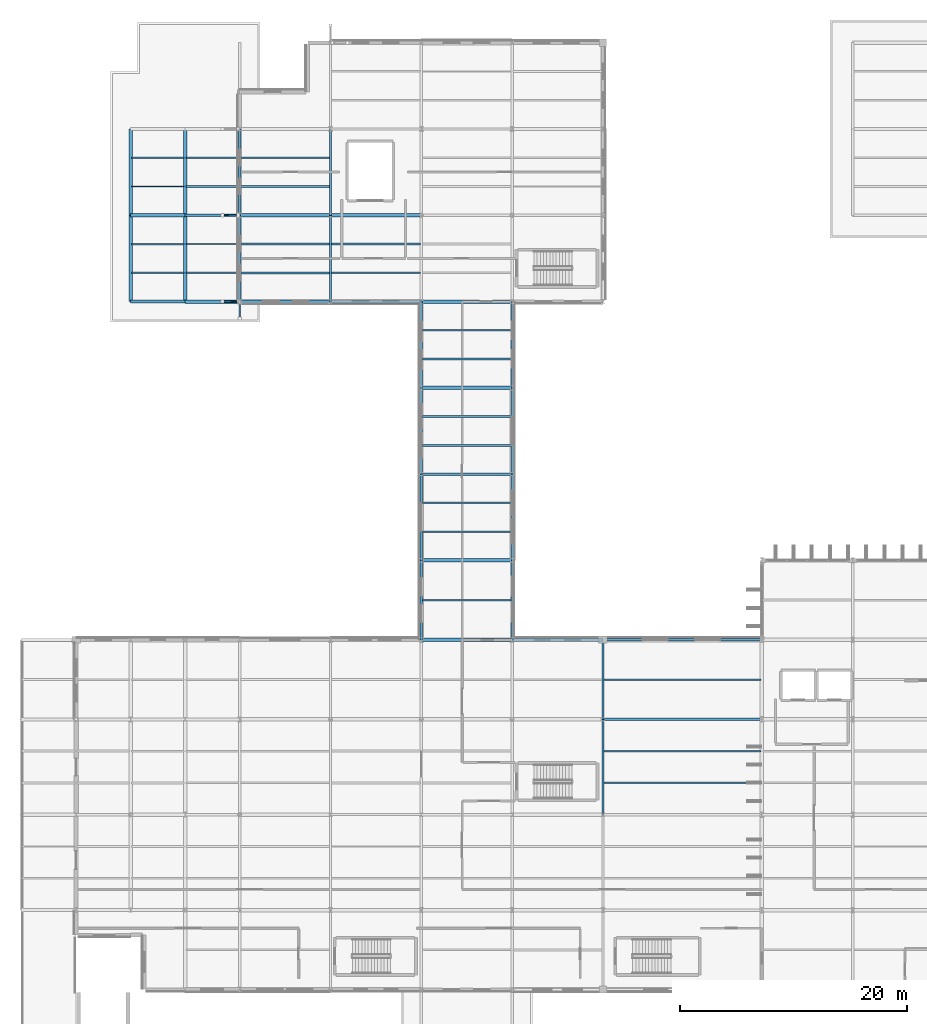
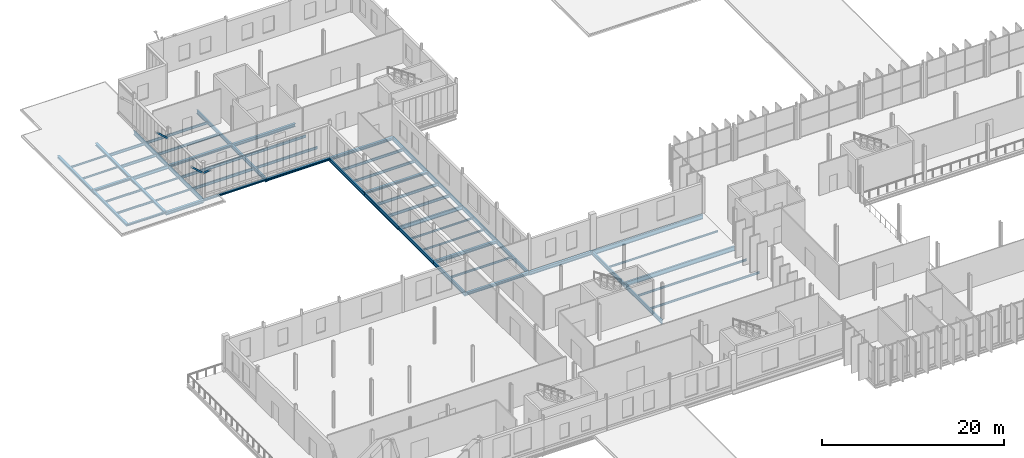
# One storey, part 36 of 120: 58 beams, 3 members.
"""IFC4 building model written with IfcOpenShell, lengths in metres."""

from ifc_helpers import new_model, si_unit, direction, frame, origin, origin_2d, place, context, subcontext, project, spatial, hollow_rectangle, i_section, extrude, material, material_profile, profile_set, type_object, element, save


model = new_model("IFC4")

# Units and contexts
model_context = context("Model", 3, precision=1e-05, world=origin(), true_north=direction((0.0, 1.0)))
body_context = subcontext(model_context, "Body", "Model", "MODEL_VIEW")
ifc_project = project(units=[si_unit("LENGTHUNIT", "METRE"), si_unit("AREAUNIT", "SQUARE_METRE"), si_unit("VOLUMEUNIT", "CUBIC_METRE"), si_unit("PLANEANGLEUNIT", "RADIAN"), si_unit("MASSUNIT", "GRAM", prefix="KILO")], contexts=[model_context])

# Site, building, storey
site_placement = place(None, origin())
site = spatial("IfcSite", under=ifc_project, at=site_placement, CompositionType="ELEMENT")
building_placement = place(site_placement, origin())
building = spatial("IfcBuilding", under=site, at=building_placement, Name="Vekula Escarpment Museum", CompositionType="ELEMENT")
storey_placement = place(building_placement, frame((0.0, 0.0, 13.199951171875)))
storey = spatial("IfcBuildingStorey", under=building, at=storey_placement, Name="L03", CompositionType="ELEMENT", Elevation=13.199951171875)

# Beams
ifc_material_1 = material(Name="Steel S355", Category="steel")
ifc_material_profile_1 = material_profile(ifc_material_1, i_section(OverallWidth=0.300048828125, OverallDepth=0.300048828125, WebThickness=0.010986328125, FlangeThickness=0.01904296875, FilletRadius=0.027099609375, at=origin_2d()), Name="HEB 300")
ifc_profile_set_1 = profile_set([ifc_material_profile_1], Name="Steel S355")
beam_type_1 = type_object("IfcBeamType", Name="BM-GIRD-HEB300", PredefinedType="BEAM", material=ifc_profile_set_1)
for number, where, z_axis, x_axis, name in (
    (1, (40.0, 105.60009765625, -0.39990234375), (1.0, 0.0, 0.0), (0.0, 1.0, 0.0), "Beam X L03 1429"),
    (2, (32.0, 113.199951171875, -0.39990234375), (1.0, 0.0, 0.0), (0.0, 1.0, 0.0), "Beam X L03 1436"),
):
    element("IfcBeam", number, at=place(storey_placement, frame(where, z_axis=z_axis, x_axis=x_axis)), inside=storey, type_object=beam_type_1, Name=name, PredefinedType="BEAM", context=body_context, shape_type="SweptSolid", body=[
        extrude(i_section(OverallWidth=0.300048828125, OverallDepth=0.300048828125, WebThickness=0.010986328125, FlangeThickness=0.01904296875, FilletRadius=0.027099609375, at=origin_2d()), origin(), (0.0, 0.0, 1.0), 8.0),
    ])
ifc_material_2 = material(Name="Steel S355", Category="steel")
ifc_material_profile_2 = material_profile(ifc_material_2, i_section(OverallWidth=0.300048828125, OverallDepth=0.320068359375, WebThickness=0.011474609375, FlangeThickness=0.0205078125, FilletRadius=0.027099609375, at=origin_2d()), Name="HEB 320")
ifc_profile_set_2 = profile_set([ifc_material_profile_2], Name="Steel S355")
beam_type_2 = type_object("IfcBeamType", Name="BM-GIRD-HEB320", PredefinedType="BEAM", material=ifc_profile_set_2)
beam_1_placement = place(storey_placement, frame((14.39990234375, 120.800048828125, -0.35986328125), z_axis=(1.0, 0.0, 0.0), x_axis=(0.0, 1.0, 0.0)))
element("IfcBeam", 3, at=beam_1_placement, inside=storey, type_object=beam_type_2, Name="Beam X L03 1442", PredefinedType="BEAM", context=body_context, shape_type="SweptSolid", body=[
    extrude(i_section(OverallWidth=0.300048828125, OverallDepth=0.320068359375, WebThickness=0.011474609375, FlangeThickness=0.0205078125, FilletRadius=0.027099609375, at=origin_2d()), origin(), (0.0, 0.0, 1.0), 4.800048828125),
])
beam_2_placement = place(storey_placement, frame((24.0, 120.800048828125, -0.409912109375), z_axis=(1.0, 0.0, 0.0), x_axis=(0.0, 1.0, 0.0)))
element("IfcBeam", 4, at=beam_2_placement, inside=storey, type_object=beam_type_2, Name="Beam X L03 1444", PredefinedType="BEAM", context=body_context, shape_type="SweptSolid", body=[
    extrude(i_section(OverallWidth=0.300048828125, OverallDepth=0.320068359375, WebThickness=0.011474609375, FlangeThickness=0.0205078125, FilletRadius=0.027099609375, at=origin_2d()), origin(), (0.0, 0.0, 1.0), 8.0),
])
ifc_material_3 = material(Name="Steel S355", Category="steel")
ifc_material_profile_3 = material_profile(ifc_material_3, i_section(OverallWidth=0.300048828125, OverallDepth=0.360107421875, WebThickness=0.012451171875, FlangeThickness=0.0224609375, FilletRadius=0.027099609375, at=origin_2d()), Name="HEB 360")
ifc_profile_set_3 = profile_set([ifc_material_profile_3], Name="Steel S355")
beam_type_3 = type_object("IfcBeamType", Name="BM-GIRD-HEB360", PredefinedType="BEAM", material=ifc_profile_set_3)
for number, where, z_axis, x_axis, name in (
    (5, (40.0, 83.39990234375, -0.429931640625), (1.0, 0.0, 0.0), (0.0, 1.0, 0.0), "Beam X L03 1403"),
    (6, (40.0, 113.199951171875, -0.429931640625), (1.0, 0.0, 0.0), (0.0, 1.0, 0.0), "Beam X L03 1437"),
):
    element("IfcBeam", number, at=place(storey_placement, frame(where, z_axis=z_axis, x_axis=x_axis)), inside=storey, type_object=beam_type_3, Name=name, PredefinedType="BEAM", context=body_context, shape_type="SweptSolid", body=[
        extrude(i_section(OverallWidth=0.300048828125, OverallDepth=0.360107421875, WebThickness=0.012451171875, FlangeThickness=0.0224609375, FilletRadius=0.027099609375, at=origin_2d()), origin(), (0.0, 0.0, 1.0), 8.0),
    ])
ifc_material_4 = material(Name="Steel S355", Category="steel")
ifc_material_profile_4 = material_profile(ifc_material_4, i_section(OverallWidth=0.300048828125, OverallDepth=0.39990234375, WebThickness=0.013427734375, FlangeThickness=0.02392578125, FilletRadius=0.027099609375, at=origin_2d()), Name="HEB 400")
ifc_profile_set_4 = profile_set([ifc_material_profile_4], Name="Steel S355")
beam_type_4 = type_object("IfcBeamType", Name="BM-GIRD-HEB400", PredefinedType="BEAM", material=ifc_profile_set_4)
beam_3_placement = place(storey_placement, frame((19.199951171875, 113.199951171875, -0.449951171875), z_axis=(1.0, 0.0, 0.0), x_axis=(0.0, 1.0, 0.0)))
element("IfcBeam", 7, at=beam_3_placement, inside=storey, type_object=beam_type_4, Name="Beam X L03 1434", PredefinedType="BEAM", context=body_context, shape_type="SweptSolid", body=[
    extrude(i_section(OverallWidth=0.300048828125, OverallDepth=0.39990234375, WebThickness=0.013427734375, FlangeThickness=0.02392578125, FilletRadius=0.027099609375, at=origin_2d()), origin(), (0.0, 0.0, 1.0), 4.800048828125),
])
beam_4_placement = place(storey_placement, frame((32.0, 120.800048828125, -0.449951171875), z_axis=(1.0, 0.0, 0.0), x_axis=(0.0, 1.0, 0.0)))
element("IfcBeam", 8, at=beam_4_placement, inside=storey, type_object=beam_type_4, Name="Beam X L03 1445", PredefinedType="BEAM", context=body_context, shape_type="SweptSolid", body=[
    extrude(i_section(OverallWidth=0.300048828125, OverallDepth=0.39990234375, WebThickness=0.013427734375, FlangeThickness=0.02392578125, FilletRadius=0.027099609375, at=origin_2d()), origin(), (0.0, 0.0, 1.0), 8.0),
])
ifc_material_5 = material(Name="Steel S355", Category="steel")
ifc_material_profile_5 = material_profile(ifc_material_5, i_section(OverallWidth=0.300048828125, OverallDepth=0.449951171875, WebThickness=0.013916015625, FlangeThickness=0.02587890625, FilletRadius=0.027099609375, at=origin_2d()), Name="HEB 450")
ifc_profile_set_5 = profile_set([ifc_material_profile_5], Name="Steel S355")
beam_type_5 = type_object("IfcBeamType", Name="BM-GIRD-HEB450", PredefinedType="BEAM", material=ifc_profile_set_5)
beam_5_placement = place(storey_placement, frame((48.0, 83.39990234375, -0.474853515625), z_axis=(1.0, 0.0, 0.0), x_axis=(0.0, 1.0, 0.0)))
element("IfcBeam", 9, at=beam_5_placement, inside=storey, type_object=beam_type_5, Name="Beam X L03 1404", PredefinedType="BEAM", context=body_context, shape_type="SweptSolid", body=[
    extrude(i_section(OverallWidth=0.300048828125, OverallDepth=0.449951171875, WebThickness=0.013916015625, FlangeThickness=0.02587890625, FilletRadius=0.027099609375, at=origin_2d()), origin(), (0.0, 0.0, 1.0), 8.0),
])
ifc_material_6 = material(Name="Steel S355", Category="steel")
ifc_material_profile_6 = material_profile(ifc_material_6, i_section(OverallWidth=0.18994140625, OverallDepth=0.449951171875, WebThickness=0.009521484375, FlangeThickness=0.0146484375, FilletRadius=0.02099609375, at=origin_2d()), Name="IPE 450")
ifc_profile_set_6 = profile_set([ifc_material_profile_6], Name="Steel S355")
beam_type_6 = type_object("IfcBeamType", Name="BM-GIRD-IPE450", PredefinedType="BEAM", material=ifc_profile_set_6)
beam_6_placement = place(storey_placement, frame((19.199951171875, 120.800048828125, -0.474853515625), z_axis=(1.0, 0.0, 0.0), x_axis=(0.0, 1.0, 0.0)))
element("IfcBeam", 10, at=beam_6_placement, inside=storey, type_object=beam_type_6, Name="Beam X L03 1443", PredefinedType="BEAM", context=body_context, shape_type="SweptSolid", body=[
    extrude(i_section(OverallWidth=0.18994140625, OverallDepth=0.449951171875, WebThickness=0.009521484375, FlangeThickness=0.0146484375, FilletRadius=0.02099609375, at=origin_2d()), origin(), (0.0, 0.0, 1.0), 4.800048828125),
])
ifc_material_7 = material(Name="Steel S355", Category="steel")
ifc_material_profile_7 = material_profile(ifc_material_7, i_section(OverallWidth=0.199951171875, OverallDepth=0.5, WebThickness=0.01025390625, FlangeThickness=0.01611328125, FilletRadius=0.02099609375, at=origin_2d()), Name="IPE 500")
ifc_profile_set_7 = profile_set([ifc_material_profile_7], Name="Steel S355")
beam_type_7 = type_object("IfcBeamType", Name="BM-GIRD-IPE500", PredefinedType="BEAM", material=ifc_profile_set_7)
beam_7_placement = place(storey_placement, frame((40.0, 98.0, -0.5), z_axis=(1.0, 0.0, 0.0), x_axis=(0.0, 1.0, 0.0)))
element("IfcBeam", 11, at=beam_7_placement, inside=storey, type_object=beam_type_7, Name="Beam X L03 1425", PredefinedType="BEAM", context=body_context, shape_type="SweptSolid", body=[
    extrude(i_section(OverallWidth=0.199951171875, OverallDepth=0.5, WebThickness=0.01025390625, FlangeThickness=0.01611328125, FilletRadius=0.02099609375, at=origin_2d()), origin(), (0.0, 0.0, 1.0), 8.0),
])
beam_8_placement = place(storey_placement, frame((24.0, 113.199951171875, -0.5), z_axis=(0.0, 1.0, 0.0), x_axis=(-1.0, 0.0, 0.0)))
element("IfcBeam", 12, at=beam_8_placement, inside=storey, type_object=beam_type_7, Name="Beam Y L03 1499", PredefinedType="BEAM", context=body_context, shape_type="SweptSolid", body=[
    extrude(i_section(OverallWidth=0.199951171875, OverallDepth=0.5, WebThickness=0.01025390625, FlangeThickness=0.01611328125, FilletRadius=0.02099609375, at=origin_2d()), origin(), (0.0, 0.0, 1.0), 7.60009765625),
])
beam_9_placement = place(storey_placement, frame((24.0, 120.800048828125, -0.5), z_axis=(0.0, 1.0, 0.0), x_axis=(-1.0, 0.0, 0.0)))
element("IfcBeam", 13, at=beam_9_placement, inside=storey, type_object=beam_type_7, Name="Beam Y L03 1500", PredefinedType="BEAM", context=body_context, shape_type="SweptSolid", body=[
    extrude(i_section(OverallWidth=0.199951171875, OverallDepth=0.5, WebThickness=0.01025390625, FlangeThickness=0.01611328125, FilletRadius=0.02099609375, at=origin_2d()), origin(), (0.0, 0.0, 1.0), 7.599853515625),
])
beam_10_placement = place(storey_placement, frame((32.0, 113.199951171875, -0.5), z_axis=(0.0, 1.0, 0.0), x_axis=(-1.0, 0.0, 0.0)))
element("IfcBeam", 14, at=beam_10_placement, inside=storey, type_object=beam_type_7, Name="Beam Y L03 1509", PredefinedType="BEAM", context=body_context, shape_type="SweptSolid", body=[
    extrude(i_section(OverallWidth=0.199951171875, OverallDepth=0.5, WebThickness=0.01025390625, FlangeThickness=0.01611328125, FilletRadius=0.02099609375, at=origin_2d()), origin(), (0.0, 0.0, 1.0), 7.60009765625),
])
beam_11_placement = place(storey_placement, frame((32.0, 120.800048828125, -0.5), z_axis=(0.0, 1.0, 0.0), x_axis=(-1.0, 0.0, 0.0)))
element("IfcBeam", 15, at=beam_11_placement, inside=storey, type_object=beam_type_7, Name="Beam Y L03 1510", PredefinedType="BEAM", context=body_context, shape_type="SweptSolid", body=[
    extrude(i_section(OverallWidth=0.199951171875, OverallDepth=0.5, WebThickness=0.01025390625, FlangeThickness=0.01611328125, FilletRadius=0.02099609375, at=origin_2d()), origin(), (0.0, 0.0, 1.0), 7.599853515625),
])
beam_12_placement = place(storey_placement, frame((40.0, 83.39990234375, -0.5), z_axis=(0.0, 1.0, 0.0), x_axis=(-1.0, 0.0, 0.0)))
element("IfcBeam", 16, at=beam_12_placement, inside=storey, type_object=beam_type_7, Name="Beam Y L03 1522", PredefinedType="BEAM", context=body_context, shape_type="SweptSolid", body=[
    extrude(i_section(OverallWidth=0.199951171875, OverallDepth=0.5, WebThickness=0.01025390625, FlangeThickness=0.01611328125, FilletRadius=0.02099609375, at=origin_2d()), origin(), (0.0, 0.0, 1.0), 7.0),
])
for number, where, z_axis, x_axis, name in (
    (17, (40.0, 90.39990234375, -0.5), (0.0, 1.0, 0.0), (-1.0, 0.0, 0.0), "Beam Y L03 1523"),
    (18, (40.0, 98.0, -0.5), (0.0, 1.0, 0.0), (-1.0, 0.0, 0.0), "Beam Y L03 1524"),
):
    element("IfcBeam", number, at=place(storey_placement, frame(where, z_axis=z_axis, x_axis=x_axis)), inside=storey, type_object=beam_type_7, Name=name, PredefinedType="BEAM", context=body_context, shape_type="SweptSolid", body=[
        extrude(i_section(OverallWidth=0.199951171875, OverallDepth=0.5, WebThickness=0.01025390625, FlangeThickness=0.01611328125, FilletRadius=0.02099609375, at=origin_2d()), origin(), (0.0, 0.0, 1.0), 7.60009765625),
    ])
beam_13_placement = place(storey_placement, frame((40.0, 105.60009765625, -0.5), z_axis=(0.0, 1.0, 0.0), x_axis=(-1.0, 0.0, 0.0)))
element("IfcBeam", 19, at=beam_13_placement, inside=storey, type_object=beam_type_7, Name="Beam Y L03 1525", PredefinedType="BEAM", context=body_context, shape_type="SweptSolid", body=[
    extrude(i_section(OverallWidth=0.199951171875, OverallDepth=0.5, WebThickness=0.01025390625, FlangeThickness=0.01611328125, FilletRadius=0.02099609375, at=origin_2d()), origin(), (0.0, 0.0, 1.0), 7.599853515625),
])
beam_14_placement = place(storey_placement, frame((48.0, 83.39990234375, -0.5), z_axis=(0.0, 1.0, 0.0), x_axis=(-1.0, 0.0, 0.0)))
element("IfcBeam", 20, at=beam_14_placement, inside=storey, type_object=beam_type_7, Name="Beam Y L03 1540", PredefinedType="BEAM", context=body_context, shape_type="SweptSolid", body=[
    extrude(i_section(OverallWidth=0.199951171875, OverallDepth=0.5, WebThickness=0.01025390625, FlangeThickness=0.01611328125, FilletRadius=0.02099609375, at=origin_2d()), origin(), (0.0, 0.0, 1.0), 7.0),
])
for number, where, z_axis, x_axis, name in (
    (21, (48.0, 90.39990234375, -0.5), (0.0, 1.0, 0.0), (-1.0, 0.0, 0.0), "Beam Y L03 1541"),
    (22, (48.0, 98.0, -0.5), (0.0, 1.0, 0.0), (-1.0, 0.0, 0.0), "Beam Y L03 1542"),
):
    element("IfcBeam", number, at=place(storey_placement, frame(where, z_axis=z_axis, x_axis=x_axis)), inside=storey, type_object=beam_type_7, Name=name, PredefinedType="BEAM", context=body_context, shape_type="SweptSolid", body=[
        extrude(i_section(OverallWidth=0.199951171875, OverallDepth=0.5, WebThickness=0.01025390625, FlangeThickness=0.01611328125, FilletRadius=0.02099609375, at=origin_2d()), origin(), (0.0, 0.0, 1.0), 7.60009765625),
    ])
beam_15_placement = place(storey_placement, frame((48.0, 105.60009765625, -0.5), z_axis=(0.0, 1.0, 0.0), x_axis=(-1.0, 0.0, 0.0)))
element("IfcBeam", 23, at=beam_15_placement, inside=storey, type_object=beam_type_7, Name="Beam Y L03 1543", PredefinedType="BEAM", context=body_context, shape_type="SweptSolid", body=[
    extrude(i_section(OverallWidth=0.199951171875, OverallDepth=0.5, WebThickness=0.01025390625, FlangeThickness=0.01611328125, FilletRadius=0.02099609375, at=origin_2d()), origin(), (0.0, 0.0, 1.0), 7.599853515625),
])
beam_16_placement = place(storey_placement, frame((56.0, 68.0, -0.5), z_axis=(0.0, 1.0, 0.0), x_axis=(-1.0, 0.0, 0.0)))
element("IfcBeam", 24, at=beam_16_placement, inside=storey, type_object=beam_type_7, Name="Beam Y L03 1552", PredefinedType="BEAM", context=body_context, shape_type="SweptSolid", body=[
    extrude(i_section(OverallWidth=0.199951171875, OverallDepth=0.5, WebThickness=0.01025390625, FlangeThickness=0.01611328125, FilletRadius=0.02099609375, at=origin_2d()), origin(), (0.0, 0.0, 1.0), 8.39990234375),
])
beam_17_placement = place(storey_placement, frame((56.0, 76.39990234375, -0.5), z_axis=(0.0, 1.0, 0.0), x_axis=(-1.0, 0.0, 0.0)))
element("IfcBeam", 25, at=beam_17_placement, inside=storey, type_object=beam_type_7, Name="Beam Y L03 1553", PredefinedType="BEAM", context=body_context, shape_type="SweptSolid", body=[
    extrude(i_section(OverallWidth=0.199951171875, OverallDepth=0.5, WebThickness=0.01025390625, FlangeThickness=0.01611328125, FilletRadius=0.02099609375, at=origin_2d()), origin(), (0.0, 0.0, 1.0), 7.0),
])
ifc_material_8 = material(Name="Steel S355", Category="steel")
ifc_material_profile_8 = material_profile(ifc_material_8, i_section(OverallWidth=0.219970703125, OverallDepth=0.60009765625, WebThickness=0.011962890625, FlangeThickness=0.01904296875, FilletRadius=0.02392578125, at=origin_2d()), Name="IPE 600")
ifc_profile_set_8 = profile_set([ifc_material_profile_8], Name="Steel S355")
beam_type_8 = type_object("IfcBeamType", Name="BM-GIRD-IPE600", PredefinedType="BEAM", material=ifc_profile_set_8)
for number, where, z_axis, x_axis, name in (
    (26, (56.0, 76.39990234375, -0.550048828125), (1.0, 0.0, 0.0), (0.0, 1.0, 0.0), "Beam X L03 1383"),
    (27, (56.0, 83.39990234375, -0.550048828125), (1.0, 0.0, 0.0), (0.0, 1.0, 0.0), "Beam X L03 1405"),
):
    element("IfcBeam", number, at=place(storey_placement, frame(where, z_axis=z_axis, x_axis=x_axis)), inside=storey, type_object=beam_type_8, Name=name, PredefinedType="BEAM", context=body_context, shape_type="SweptSolid", body=[
        extrude(i_section(OverallWidth=0.219970703125, OverallDepth=0.60009765625, WebThickness=0.011962890625, FlangeThickness=0.01904296875, FilletRadius=0.02392578125, at=origin_2d()), origin(), (0.0, 0.0, 1.0), 14.0),
    ])
ifc_material_9 = material(Name="Steel S355", Category="steel")
ifc_material_profile_9 = material_profile(ifc_material_9, i_section(OverallWidth=0.1201171875, OverallDepth=0.239990234375, WebThickness=0.006103515625, FlangeThickness=0.009765625, FilletRadius=0.014892578125, at=origin_2d()), Name="IPE 240")
ifc_profile_set_9 = profile_set([ifc_material_profile_9], Name="Steel S355")
beam_type_9 = type_object("IfcBeamType", Name="BM-JST-IPE240", PredefinedType="JOIST", material=ifc_profile_set_9)
for number, where, z_axis, x_axis, name in (
    (28, (14.489990234375, 123.333251953125, -0.320068359375), (1.0, 0.0, 0.0), (0.0, 1.0, 0.0), "Secondary Joist L03 0903"),
    (29, (14.489990234375, 125.86669921875, -0.320068359375), (1.0, 0.0, 0.0), (0.0, 1.0, 0.0), "Secondary Joist L03 0904"),
):
    element("IfcBeam", number, at=place(storey_placement, frame(where, z_axis=z_axis, x_axis=x_axis)), inside=storey, type_object=beam_type_9, Name=name, PredefinedType="JOIST", context=body_context, shape_type="SweptSolid", body=[
        extrude(i_section(OverallWidth=0.1201171875, OverallDepth=0.239990234375, WebThickness=0.006103515625, FlangeThickness=0.009765625, FilletRadius=0.014892578125, at=origin_2d()), origin(), (0.0, 0.0, 1.0), 4.6201171875),
    ])
for number, where, z_axis, x_axis, name in (
    (30, (19.2900390625, 115.7333984375, -0.369873046875), (1.0, 0.0, 0.0), (0.0, 1.0, 0.0), "Secondary Joist L03 0911"),
    (31, (19.2900390625, 118.2666015625, -0.369873046875), (1.0, 0.0, 0.0), (0.0, 1.0, 0.0), "Secondary Joist L03 0912"),
):
    element("IfcBeam", number, at=place(storey_placement, frame(where, z_axis=z_axis, x_axis=x_axis)), inside=storey, type_object=beam_type_9, Name=name, PredefinedType="JOIST", context=body_context, shape_type="SweptSolid", body=[
        extrude(i_section(OverallWidth=0.1201171875, OverallDepth=0.239990234375, WebThickness=0.006103515625, FlangeThickness=0.009765625, FilletRadius=0.014892578125, at=origin_2d()), origin(), (0.0, 0.0, 1.0), 4.619873046875),
    ])
for number, where, z_axis, x_axis, name in (
    (32, (40.090087890625, 92.933349609375, -0.369873046875), (1.0, 0.0, 0.0), (0.0, 1.0, 0.0), "Secondary Joist L03 0962"),
    (33, (40.090087890625, 95.466796875, -0.369873046875), (1.0, 0.0, 0.0), (0.0, 1.0, 0.0), "Secondary Joist L03 0963"),
):
    element("IfcBeam", number, at=place(storey_placement, frame(where, z_axis=z_axis, x_axis=x_axis)), inside=storey, type_object=beam_type_9, Name=name, PredefinedType="JOIST", context=body_context, shape_type="SweptSolid", body=[
        extrude(i_section(OverallWidth=0.1201171875, OverallDepth=0.239990234375, WebThickness=0.006103515625, FlangeThickness=0.009765625, FilletRadius=0.014892578125, at=origin_2d()), origin(), (0.0, 0.0, 1.0), 7.81982421875),
    ])
beam_18_placement = place(storey_placement, frame((56.090087890625, 79.89990234375, -0.369873046875), z_axis=(1.0, 0.0, 0.0), x_axis=(0.0, 1.0, 0.0)))
element("IfcBeam", 34, at=beam_18_placement, inside=storey, type_object=beam_type_9, Name="Secondary Joist L03 0990", PredefinedType="JOIST", context=body_context, shape_type="SweptSolid", body=[
    extrude(i_section(OverallWidth=0.1201171875, OverallDepth=0.239990234375, WebThickness=0.006103515625, FlangeThickness=0.009765625, FilletRadius=0.014892578125, at=origin_2d()), origin(), (0.0, 0.0, 1.0), 13.81982421875),
])
ifc_material_10 = material(Name="Steel S355", Category="steel")
ifc_material_profile_10 = material_profile(ifc_material_10, i_section(OverallWidth=0.135009765625, OverallDepth=0.27001953125, WebThickness=0.006591796875, FlangeThickness=0.01025390625, FilletRadius=0.014892578125, at=origin_2d()), Name="IPE 270")
ifc_profile_set_10 = profile_set([ifc_material_profile_10], Name="Steel S355")
beam_type_10 = type_object("IfcBeamType", Name="BM-JST-IPE270", PredefinedType="JOIST", material=ifc_profile_set_10)
for number, where, z_axis, x_axis, name in (
    (35, (14.489990234375, 115.7333984375, -0.3349609375), (1.0, 0.0, 0.0), (0.0, 1.0, 0.0), "Secondary Joist L03 0901"),
    (36, (14.489990234375, 118.2666015625, -0.3349609375), (1.0, 0.0, 0.0), (0.0, 1.0, 0.0), "Secondary Joist L03 0902"),
):
    element("IfcBeam", number, at=place(storey_placement, frame(where, z_axis=z_axis, x_axis=x_axis)), inside=storey, type_object=beam_type_10, Name=name, PredefinedType="JOIST", context=body_context, shape_type="SweptSolid", body=[
        extrude(i_section(OverallWidth=0.135009765625, OverallDepth=0.27001953125, WebThickness=0.006591796875, FlangeThickness=0.01025390625, FilletRadius=0.014892578125, at=origin_2d()), origin(), (0.0, 0.0, 1.0), 4.6201171875),
    ])
beam_19_placement = place(storey_placement, frame((40.090087890625, 86.89990234375, -0.385009765625), z_axis=(1.0, 0.0, 0.0), x_axis=(0.0, 1.0, 0.0)))
element("IfcBeam", 37, at=beam_19_placement, inside=storey, type_object=beam_type_10, Name="Secondary Joist L03 0961", PredefinedType="JOIST", context=body_context, shape_type="SweptSolid", body=[
    extrude(i_section(OverallWidth=0.135009765625, OverallDepth=0.27001953125, WebThickness=0.006591796875, FlangeThickness=0.01025390625, FilletRadius=0.014892578125, at=origin_2d()), origin(), (0.0, 0.0, 1.0), 7.81982421875),
])
for number, where, z_axis, x_axis, name in (
    (38, (56.090087890625, 70.800048828125, -0.385009765625), (1.0, 0.0, 0.0), (0.0, 1.0, 0.0), "Secondary Joist L03 0988"),
    (39, (56.090087890625, 73.60009765625, -0.385009765625), (1.0, 0.0, 0.0), (0.0, 1.0, 0.0), "Secondary Joist L03 0989"),
):
    element("IfcBeam", number, at=place(storey_placement, frame(where, z_axis=z_axis, x_axis=x_axis)), inside=storey, type_object=beam_type_10, Name=name, PredefinedType="JOIST", context=body_context, shape_type="SweptSolid", body=[
        extrude(i_section(OverallWidth=0.135009765625, OverallDepth=0.27001953125, WebThickness=0.006591796875, FlangeThickness=0.01025390625, FilletRadius=0.014892578125, at=origin_2d()), origin(), (0.0, 0.0, 1.0), 13.81982421875),
    ])
ifc_material_11 = material(Name="Steel S355", Category="steel")
ifc_material_profile_11 = material_profile(ifc_material_11, i_section(OverallWidth=0.159912109375, OverallDepth=0.330078125, WebThickness=0.007568359375, FlangeThickness=0.011474609375, FilletRadius=0.01806640625, at=origin_2d()), Name="IPE 330")
ifc_profile_set_11 = profile_set([ifc_material_profile_11], Name="Steel S355")
beam_type_11 = type_object("IfcBeamType", Name="BM-JST-IPE330", PredefinedType="JOIST", material=ifc_profile_set_11)
for number, where, z_axis, x_axis, name in (
    (40, (24.090087890625, 123.333251953125, -0.4150390625), (1.0, 0.0, 0.0), (0.0, 1.0, 0.0), "Secondary Joist L03 0927"),
    (41, (24.090087890625, 125.86669921875, -0.4150390625), (1.0, 0.0, 0.0), (0.0, 1.0, 0.0), "Secondary Joist L03 0928"),
    (42, (32.090087890625, 115.7333984375, -0.4150390625), (1.0, 0.0, 0.0), (0.0, 1.0, 0.0), "Secondary Joist L03 0940"),
    (43, (32.090087890625, 118.2666015625, -0.4150390625), (1.0, 0.0, 0.0), (0.0, 1.0, 0.0), "Secondary Joist L03 0941"),
    (44, (40.090087890625, 108.13330078125, -0.4150390625), (1.0, 0.0, 0.0), (0.0, 1.0, 0.0), "Secondary Joist L03 0966"),
    (45, (40.090087890625, 110.666748046875, -0.4150390625), (1.0, 0.0, 0.0), (0.0, 1.0, 0.0), "Secondary Joist L03 0967"),
):
    element("IfcBeam", number, at=place(storey_placement, frame(where, z_axis=z_axis, x_axis=x_axis)), inside=storey, type_object=beam_type_11, Name=name, PredefinedType="JOIST", context=body_context, shape_type="SweptSolid", body=[
        extrude(i_section(OverallWidth=0.159912109375, OverallDepth=0.330078125, WebThickness=0.007568359375, FlangeThickness=0.011474609375, FilletRadius=0.01806640625, at=origin_2d()), origin(), (0.0, 0.0, 1.0), 7.81982421875),
    ])
ifc_material_12 = material(Name="Steel S355", Category="steel")
ifc_material_profile_12 = material_profile(ifc_material_12, i_section(OverallWidth=0.169921875, OverallDepth=0.360107421875, WebThickness=0.008056640625, FlangeThickness=0.0126953125, FilletRadius=0.01806640625, at=origin_2d()), Name="IPE 360")
ifc_profile_set_12 = profile_set([ifc_material_profile_12], Name="Steel S355")
beam_type_12 = type_object("IfcBeamType", Name="BM-JST-IPE360", PredefinedType="JOIST", material=ifc_profile_set_12)
for number, where, z_axis, x_axis, name in (
    (46, (19.2900390625, 123.333251953125, -0.429931640625), (1.0, 0.0, 0.0), (0.0, 1.0, 0.0), "Secondary Joist L03 0913"),
    (47, (19.2900390625, 125.86669921875, -0.429931640625), (1.0, 0.0, 0.0), (0.0, 1.0, 0.0), "Secondary Joist L03 0914"),
):
    element("IfcBeam", number, at=place(storey_placement, frame(where, z_axis=z_axis, x_axis=x_axis)), inside=storey, type_object=beam_type_12, Name=name, PredefinedType="JOIST", context=body_context, shape_type="SweptSolid", body=[
        extrude(i_section(OverallWidth=0.169921875, OverallDepth=0.360107421875, WebThickness=0.008056640625, FlangeThickness=0.0126953125, FilletRadius=0.01806640625, at=origin_2d()), origin(), (0.0, 0.0, 1.0), 4.619873046875),
    ])
for number, where, z_axis, x_axis, name in (
    (48, (24.090087890625, 115.7333984375, -0.429931640625), (1.0, 0.0, 0.0), (0.0, 1.0, 0.0), "Secondary Joist L03 0925"),
    (49, (24.090087890625, 118.2666015625, -0.429931640625), (1.0, 0.0, 0.0), (0.0, 1.0, 0.0), "Secondary Joist L03 0926"),
    (50, (40.090087890625, 100.533203125, -0.429931640625), (1.0, 0.0, 0.0), (0.0, 1.0, 0.0), "Secondary Joist L03 0964"),
    (51, (40.090087890625, 103.066650390625, -0.429931640625), (1.0, 0.0, 0.0), (0.0, 1.0, 0.0), "Secondary Joist L03 0965"),
):
    element("IfcBeam", number, at=place(storey_placement, frame(where, z_axis=z_axis, x_axis=x_axis)), inside=storey, type_object=beam_type_12, Name=name, PredefinedType="JOIST", context=body_context, shape_type="SweptSolid", body=[
        extrude(i_section(OverallWidth=0.169921875, OverallDepth=0.360107421875, WebThickness=0.008056640625, FlangeThickness=0.0126953125, FilletRadius=0.01806640625, at=origin_2d()), origin(), (0.0, 0.0, 1.0), 7.81982421875),
    ])
ifc_material_13 = material(Name="Steel S355", Category="steel")
ifc_material_profile_13 = material_profile(ifc_material_13, i_section(OverallWidth=0.239990234375, OverallDepth=0.22998046875, WebThickness=0.007568359375, FlangeThickness=0.011962890625, FilletRadius=0.02099609375, at=origin_2d()), Name="HEA 240")
ifc_profile_set_13 = profile_set([ifc_material_profile_13], Name="Steel S355")
beam_type_13 = type_object("IfcBeamType", Name="BM-SPAN-HEA240", PredefinedType="SPANDREL", material=ifc_profile_set_13)
beam_20_placement = place(storey_placement, frame((14.39990234375, 113.199951171875, -0.31494140625), z_axis=(1.0, 0.0, 0.0), x_axis=(0.0, 1.0, 0.0)))
element("IfcBeam", 52, at=beam_20_placement, inside=storey, type_object=beam_type_13, Name="Beam X L03 1433", PredefinedType="SPANDREL", context=body_context, shape_type="SweptSolid", body=[
    extrude(i_section(OverallWidth=0.239990234375, OverallDepth=0.22998046875, WebThickness=0.007568359375, FlangeThickness=0.011962890625, FilletRadius=0.02099609375, at=origin_2d()), origin(), (0.0, 0.0, 1.0), 4.800048828125),
])
beam_21_placement = place(storey_placement, frame((24.0, 113.199951171875, -0.364990234375), z_axis=(1.0, 0.0, 0.0), x_axis=(0.0, 1.0, 0.0)))
element("IfcBeam", 53, at=beam_21_placement, inside=storey, type_object=beam_type_13, Name="Beam X L03 1435", PredefinedType="SPANDREL", context=body_context, shape_type="SweptSolid", body=[
    extrude(i_section(OverallWidth=0.239990234375, OverallDepth=0.22998046875, WebThickness=0.007568359375, FlangeThickness=0.011962890625, FilletRadius=0.02099609375, at=origin_2d()), origin(), (0.0, 0.0, 1.0), 8.0),
])
ifc_material_14 = material(Name="Steel S355", Category="steel")
ifc_material_profile_14 = material_profile(ifc_material_14, i_section(OverallWidth=0.300048828125, OverallDepth=0.2900390625, WebThickness=0.008544921875, FlangeThickness=0.013916015625, FilletRadius=0.027099609375, at=origin_2d()), Name="HEA 300")
ifc_profile_set_14 = profile_set([ifc_material_profile_14], Name="Steel S355")
beam_type_14 = type_object("IfcBeamType", Name="BM-SPAN-HEA300", PredefinedType="SPANDREL", material=ifc_profile_set_14)
beam_22_placement = place(storey_placement, frame((14.39990234375, 113.199951171875, -0.344970703125), z_axis=(0.0, 1.0, 0.0), x_axis=(-1.0, 0.0, 0.0)))
element("IfcBeam", 54, at=beam_22_placement, inside=storey, type_object=beam_type_14, Name="Beam Y L03 1485", PredefinedType="SPANDREL", context=body_context, shape_type="SweptSolid", body=[
    extrude(i_section(OverallWidth=0.300048828125, OverallDepth=0.2900390625, WebThickness=0.008544921875, FlangeThickness=0.013916015625, FilletRadius=0.027099609375, at=origin_2d()), origin(), (0.0, 0.0, 1.0), 7.60009765625),
])
beam_23_placement = place(storey_placement, frame((14.39990234375, 120.800048828125, -0.344970703125), z_axis=(0.0, 1.0, 0.0), x_axis=(-1.0, 0.0, 0.0)))
element("IfcBeam", 55, at=beam_23_placement, inside=storey, type_object=beam_type_14, Name="Beam Y L03 1486", PredefinedType="SPANDREL", context=body_context, shape_type="SweptSolid", body=[
    extrude(i_section(OverallWidth=0.300048828125, OverallDepth=0.2900390625, WebThickness=0.008544921875, FlangeThickness=0.013916015625, FilletRadius=0.027099609375, at=origin_2d()), origin(), (0.0, 0.0, 1.0), 7.599853515625),
])
beam_24_placement = place(storey_placement, frame((19.199951171875, 113.199951171875, -0.344970703125), z_axis=(0.0, 1.0, 0.0), x_axis=(-1.0, 0.0, 0.0)))
element("IfcBeam", 56, at=beam_24_placement, inside=storey, type_object=beam_type_14, Name="Beam Y L03 1491", PredefinedType="SPANDREL", context=body_context, shape_type="SweptSolid", body=[
    extrude(i_section(OverallWidth=0.300048828125, OverallDepth=0.2900390625, WebThickness=0.008544921875, FlangeThickness=0.013916015625, FilletRadius=0.027099609375, at=origin_2d()), origin(), (0.0, 0.0, 1.0), 7.60009765625),
])
beam_25_placement = place(storey_placement, frame((19.199951171875, 120.800048828125, -0.344970703125), z_axis=(0.0, 1.0, 0.0), x_axis=(-1.0, 0.0, 0.0)))
element("IfcBeam", 57, at=beam_25_placement, inside=storey, type_object=beam_type_14, Name="Beam Y L03 1492", PredefinedType="SPANDREL", context=body_context, shape_type="SweptSolid", body=[
    extrude(i_section(OverallWidth=0.300048828125, OverallDepth=0.2900390625, WebThickness=0.008544921875, FlangeThickness=0.013916015625, FilletRadius=0.027099609375, at=origin_2d()), origin(), (0.0, 0.0, 1.0), 7.599853515625),
])
ifc_material_15 = material(Name="Steel S355", Category="steel")
ifc_material_profile_15 = material_profile(ifc_material_15, i_section(OverallWidth=0.300048828125, OverallDepth=0.389892578125, WebThickness=0.010986328125, FlangeThickness=0.01904296875, FilletRadius=0.027099609375, at=origin_2d()), Name="HEA 400")
ifc_profile_set_15 = profile_set([ifc_material_profile_15], Name="Steel S355")
beam_type_15 = type_object("IfcBeamType", Name="BM-SPAN-HEA400", PredefinedType="SPANDREL", material=ifc_profile_set_15)
beam_26_placement = place(storey_placement, frame((40.0, 90.39990234375, -0.445068359375), z_axis=(1.0, 0.0, 0.0), x_axis=(0.0, 1.0, 0.0)))
element("IfcBeam", 58, at=beam_26_placement, inside=storey, type_object=beam_type_15, Name="Beam X L03 1415", PredefinedType="SPANDREL", context=body_context, shape_type="SweptSolid", body=[
    extrude(i_section(OverallWidth=0.300048828125, OverallDepth=0.389892578125, WebThickness=0.010986328125, FlangeThickness=0.01904296875, FilletRadius=0.027099609375, at=origin_2d()), origin(), (0.0, 0.0, 1.0), 8.0),
])

# Members
ifc_material_16 = material(Name="Steel S355", Category="steel")
ifc_material_profile_16 = material_profile(ifc_material_16, hollow_rectangle(XDim=0.10009765625, YDim=0.199951171875, WallThickness=0.008056640625, InnerFilletRadius=0.008056640625, OuterFilletRadius=0.01611328125, at=origin_2d()), Name="RHS 200x100x8")
ifc_profile_set_16 = profile_set([ifc_material_profile_16], Name="Steel S355")
member_type = type_object("IfcMemberType", Name="MB-SACAK-BRK", PredefinedType="STRUT", material=ifc_profile_set_16)
member_1_placement = place(storey_placement, frame((23.8798828125, 113.199951171875, 3.35009765625), z_axis=(-0.738454378718, 0.0, 0.674303441006), x_axis=(0.0, -1.0, 0.0)))
element("IfcMember", 59, at=member_1_placement, inside=storey, type_object=member_type, Name="Ottoman Sacak Eave Bracket L04-0091", PredefinedType="STRUT", context=body_context, shape_type="SweptSolid", body=[
    extrude(hollow_rectangle(XDim=0.10009765625, YDim=0.199951171875, WallThickness=0.008056640625, InnerFilletRadius=0.008056640625, OuterFilletRadius=0.01611328125, at=origin_2d()), origin(), (0.0, 0.0, 1.0), 1.86865234375),
])
member_2_placement = place(storey_placement, frame((24.0, 113.080078125, 3.35009765625), z_axis=(0.0, -0.738513776389, 0.674238386688), x_axis=(1.0, 0.0, 0.0)))
element("IfcMember", 60, at=member_2_placement, inside=storey, type_object=member_type, Name="Ottoman Sacak Eave Bracket L04-0092", PredefinedType="STRUT", context=body_context, shape_type="SweptSolid", body=[
    extrude(hollow_rectangle(XDim=0.10009765625, YDim=0.199951171875, WallThickness=0.008056640625, InnerFilletRadius=0.008056640625, OuterFilletRadius=0.01611328125, at=origin_2d()), origin(), (0.0, 0.0, 1.0), 1.868896484375),
])
member_3_placement = place(storey_placement, frame((23.8798828125, 120.800048828125, 3.35009765625), z_axis=(-0.738454378718, 0.0, 0.674303441006), x_axis=(0.0, -1.0, 0.0)))
element("IfcMember", 61, at=member_3_placement, inside=storey, type_object=member_type, Name="Ottoman Sacak Eave Bracket L04-0093", PredefinedType="STRUT", context=body_context, shape_type="SweptSolid", body=[
    extrude(hollow_rectangle(XDim=0.10009765625, YDim=0.199951171875, WallThickness=0.008056640625, InnerFilletRadius=0.008056640625, OuterFilletRadius=0.01611328125, at=origin_2d()), origin(), (0.0, 0.0, 1.0), 1.86865234375),
])

save(model, "model.ifc")
